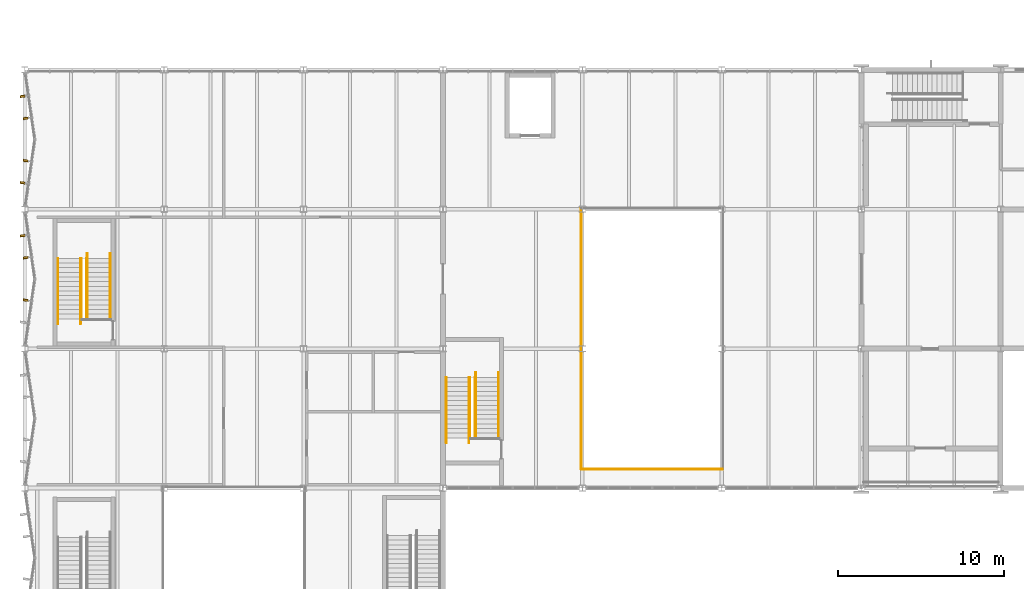
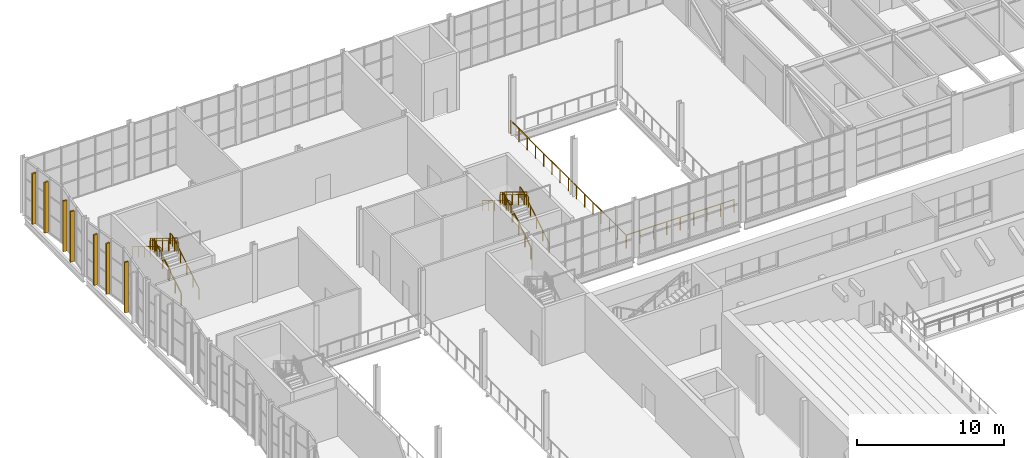
# One storey, part 121 of 127: 14 railings, 7 shading devices.
"""IFC4 building model written with IfcOpenShell, lengths in metres."""

from ifc_helpers import new_model, si_unit, direction, frame, origin, origin_2d, place, context, subcontext, project, spatial, rectangle, circle, extrude, material, type_object, element, save


model = new_model("IFC4")

# Units and contexts
model_context = context("Model", 3, precision=1e-05, world=origin(), true_north=direction((0.0, 1.0)))
body_context = subcontext(model_context, "Body", "Model", "MODEL_VIEW")
ifc_project = project(units=[si_unit("LENGTHUNIT", "METRE"), si_unit("AREAUNIT", "SQUARE_METRE"), si_unit("VOLUMEUNIT", "CUBIC_METRE"), si_unit("PLANEANGLEUNIT", "RADIAN"), si_unit("MASSUNIT", "GRAM", prefix="KILO")], contexts=[model_context])

# Site, building, storey
site_placement = place(None, origin())
site = spatial("IfcSite", under=ifc_project, at=site_placement, CompositionType="ELEMENT")
building_placement = place(site_placement, origin())
building = spatial("IfcBuilding", under=site, at=building_placement, Name="Ljudholm Concert House", CompositionType="ELEMENT")
storey_placement = place(building_placement, frame((0.0, 0.0, 5.39990234375)))
storey = spatial("IfcBuildingStorey", under=building, at=storey_placement, Name="L01", CompositionType="ELEMENT", Elevation=5.39990234375)

# Shading devices
ifc_material_1 = material(Name="Aluminium extrusion with timber-grain PVDF finish", Category="aluminium")
shading_device_type = type_object("IfcShadingDeviceType", Name="FACADE FIN 300x120", PredefinedType="SHUTTER", material=ifc_material_1)
for number, where, z_axis, x_axis, name in (
    (1, (4.06396484375, 116.1220703125, 0.2001953125), (0.0, 0.0, 1.0), (-0.989949493662, 0.141421356235, 0.0), "Facade fin"),
    (2, (4.06396484375, 118.677978515625, 0.2001953125), (0.0, 0.0, 1.0), (-0.989949493662, -0.141421356235, 0.0), "Facade fin"),
    (3, (3.874267578125, 120.00537109375, 0.2001953125), (0.0, 0.0, 1.0), (-0.989949493662, -0.141421356235, 0.0), "Facade fin"),
    (4, (3.874267578125, 123.194580078125, 0.2001953125), (0.0, 0.0, 1.0), (-0.989949493662, 0.141421356235, 0.0), "Facade fin"),
    (5, (4.06396484375, 124.52197265625, 0.2001953125), (0.0, 0.0, 1.0), (-0.989949493662, 0.141421356235, 0.0), "Facade fin"),
    (6, (4.06396484375, 127.077880859375, 0.2001953125), (0.0, 0.0, 1.0), (-0.989949493662, -0.141421356235, 0.0), "Facade fin"),
    (7, (3.874267578125, 128.4052734375, 0.2001953125), (0.0, 0.0, 1.0), (-0.989949493662, -0.141421356235, 0.0), "Facade fin"),
):
    element("IfcShadingDevice", number, at=place(storey_placement, frame(where, z_axis=z_axis, x_axis=x_axis)), inside=storey, type_object=shading_device_type, Name=name, PredefinedType="SHUTTER", context=body_context, shape_type="SweptSolid", body=[
        extrude(rectangle(XDim=0.300048828125, YDim=0.1201171875, at=origin_2d()), origin(), (0.0, 0.0, 1.0), 4.219970703125),
    ])

# Railings
ifc_material_2 = material(Name="Steel ASTM A36", Category="steel")
railing_type_1 = type_object("IfcRailingType", Name="GUARD 1100", PredefinedType="GUARDRAIL", material=ifc_material_2)
railing_1_placement = place(storey_placement, frame((7.72509765625, 115.0, 0.171630859375)))
element("IfcRailing", 8, at=railing_1_placement, inside=storey, type_object=railing_type_1, Name="Guard", PredefinedType="GUARDRAIL", context=body_context, shape_type="SweptSolid", body=[
    extrude(circle(Radius=0.02490234375, at=origin_2d()), frame((0.0, 0.0, 1.0751953125), z_axis=(0.0, 0.852932391421, 0.522021393877), x_axis=(-1.0, 0.0, 0.0)), (0.0, 0.0, 1.0), 0.98486328125),
    extrude(circle(Radius=0.02490234375, at=origin_2d()), frame((0.0, 0.840087890625, 1.58935546875), z_axis=(0.0, 0.852754414843, 0.522312079092), x_axis=(-1.0, 0.0, 0.0)), (0.0, 0.0, 1.0), 0.98486328125),
    extrude(circle(Radius=0.02490234375, at=origin_2d()), frame((0.0, 1.679931640625, 2.103515625), z_axis=(0.0, 0.852932391421, 0.522021393877), x_axis=(-1.0, 0.0, 0.0)), (0.0, 0.0, 1.0), 0.98486328125),
    extrude(circle(Radius=0.02490234375, at=origin_2d()), frame((0.0, 2.52001953125, 2.61767578125), z_axis=(0.0, 0.852822021269, 0.522201685212), x_axis=(-1.0, 0.0, 0.0)), (0.0, 0.0, 1.0), 0.985107421875),
    extrude(circle(Radius=0.02490234375, at=origin_2d()), frame((0.0, 3.360107421875, 3.13232421875), z_axis=(0.0, 0.852729557261, 0.522352660731), x_axis=(-1.0, 0.0, 0.0)), (0.0, 0.0, 1.0), 0.328125),
    extrude(circle(Radius=0.02099609375, at=origin_2d()), origin(), (0.0, 0.0, 1.0), 1.050048828125),
    extrude(circle(Radius=0.02099609375, at=origin_2d()), frame((0.0, 0.840087890625, 0.51416015625)), (0.0, 0.0, 1.0), 1.050048828125),
    extrude(circle(Radius=0.02099609375, at=origin_2d()), frame((0.0, 1.679931640625, 1.028564453125)), (0.0, 0.0, 1.0), 1.050048828125),
    extrude(circle(Radius=0.02099609375, at=origin_2d()), frame((0.0, 2.52001953125, 1.542724609375)), (0.0, 0.0, 1.0), 1.050048828125),
    extrude(circle(Radius=0.02099609375, at=origin_2d()), frame((0.0, 3.360107421875, 2.05712890625)), (0.0, 0.0, 1.0), 1.050048828125),
    extrude(circle(Radius=0.02099609375, at=origin_2d()), frame((0.0, 3.639892578125, 2.228515625)), (0.0, 0.0, 1.0), 1.050048828125),
])
railing_2_placement = place(storey_placement, frame((7.425048828125, 118.639892578125, 2.571533203125)))
element("IfcRailing", 9, at=railing_2_placement, inside=storey, type_object=railing_type_1, Name="Guard", PredefinedType="GUARDRAIL", context=body_context, shape_type="SweptSolid", body=[
    extrude(circle(Radius=0.02490234375, at=origin_2d()), frame((0.0, 0.0, 1.0751953125), z_axis=(0.0, -0.85286482292, 0.522131778218), x_axis=(1.0, 0.0, 0.0)), (0.0, 0.0, 1.0), 0.984619140625),
    extrude(circle(Radius=0.02490234375, at=origin_2d()), frame((0.0, -0.83984375, 1.58935546875), z_axis=(0.0, -0.852822021269, 0.522201685212), x_axis=(1.0, 0.0, 0.0)), (0.0, 0.0, 1.0), 0.985107421875),
    extrude(circle(Radius=0.02490234375, at=origin_2d()), frame((0.0, -1.679931640625, 2.103515625), z_axis=(0.0, -0.852754414843, 0.522312079092), x_axis=(1.0, 0.0, 0.0)), (0.0, 0.0, 1.0), 0.98486328125),
    extrude(circle(Radius=0.02490234375, at=origin_2d()), frame((0.0, -2.519775390625, 2.6181640625), z_axis=(0.0, -0.852932391421, 0.522021393877), x_axis=(1.0, 0.0, 0.0)), (0.0, 0.0, 1.0), 0.98486328125),
    extrude(circle(Radius=0.02490234375, at=origin_2d()), frame((0.0, -3.35986328125, 3.13232421875), z_axis=(0.0, -0.852932391421, 0.522021393877), x_axis=(1.0, 0.0, 0.0)), (0.0, 0.0, 1.0), 0.328369140625),
    extrude(circle(Radius=0.02099609375, at=origin_2d()), origin(), (0.0, 0.0, 1.0), 1.050048828125),
    extrude(circle(Radius=0.02099609375, at=origin_2d()), frame((0.0, -0.83984375, 0.51416015625)), (0.0, 0.0, 1.0), 1.050048828125),
    extrude(circle(Radius=0.02099609375, at=origin_2d()), frame((0.0, -1.679931640625, 1.028564453125)), (0.0, 0.0, 1.0), 1.050048828125),
    extrude(circle(Radius=0.02099609375, at=origin_2d()), frame((0.0, -2.519775390625, 1.54296875)), (0.0, 0.0, 1.0), 1.050048828125),
    extrude(circle(Radius=0.02099609375, at=origin_2d()), frame((0.0, -3.35986328125, 2.05712890625)), (0.0, 0.0, 1.0), 1.050048828125),
    extrude(circle(Radius=0.02099609375, at=origin_2d()), frame((0.0, -3.639892578125, 2.228515625)), (0.0, 0.0, 1.0), 1.050048828125),
])
railing_3_placement = place(storey_placement, frame((31.125, 107.830078125, 0.171630859375)))
element("IfcRailing", 10, at=railing_3_placement, inside=storey, type_object=railing_type_1, Name="Guard", PredefinedType="GUARDRAIL", context=body_context, shape_type="SweptSolid", body=[
    extrude(circle(Radius=0.02490234375, at=origin_2d()), frame((0.0, 0.0, 1.0751953125), z_axis=(0.0, 0.85286482292, 0.522131778218), x_axis=(-1.0, 0.0, 0.0)), (0.0, 0.0, 1.0), 0.984619140625),
    extrude(circle(Radius=0.02490234375, at=origin_2d()), frame((0.0, 0.83984375, 1.58935546875), z_axis=(0.0, 0.852822021269, 0.522201685212), x_axis=(-1.0, 0.0, 0.0)), (0.0, 0.0, 1.0), 0.985107421875),
    extrude(circle(Radius=0.02490234375, at=origin_2d()), frame((0.0, 1.679931640625, 2.103515625), z_axis=(0.0, 0.852932391421, 0.522021393877), x_axis=(-1.0, 0.0, 0.0)), (0.0, 0.0, 1.0), 0.98486328125),
    extrude(circle(Radius=0.02490234375, at=origin_2d()), frame((0.0, 2.52001953125, 2.61767578125), z_axis=(0.0, 0.852754414843, 0.522312079092), x_axis=(-1.0, 0.0, 0.0)), (0.0, 0.0, 1.0), 0.98486328125),
    extrude(circle(Radius=0.02490234375, at=origin_2d()), frame((0.0, 3.35986328125, 3.13232421875), z_axis=(0.0, 0.852932391421, 0.522021393877), x_axis=(-1.0, 0.0, 0.0)), (0.0, 0.0, 1.0), 0.328369140625),
    extrude(circle(Radius=0.02099609375, at=origin_2d()), origin(), (0.0, 0.0, 1.0), 1.050048828125),
    extrude(circle(Radius=0.02099609375, at=origin_2d()), frame((0.0, 0.83984375, 0.51416015625)), (0.0, 0.0, 1.0), 1.050048828125),
    extrude(circle(Radius=0.02099609375, at=origin_2d()), frame((0.0, 1.679931640625, 1.028564453125)), (0.0, 0.0, 1.0), 1.050048828125),
    extrude(circle(Radius=0.02099609375, at=origin_2d()), frame((0.0, 2.52001953125, 1.542724609375)), (0.0, 0.0, 1.0), 1.050048828125),
    extrude(circle(Radius=0.02099609375, at=origin_2d()), frame((0.0, 3.35986328125, 2.05712890625)), (0.0, 0.0, 1.0), 1.050048828125),
    extrude(circle(Radius=0.02099609375, at=origin_2d()), frame((0.0, 3.639892578125, 2.228515625)), (0.0, 0.0, 1.0), 1.050048828125),
])
railing_4_placement = place(storey_placement, frame((30.824951171875, 111.469970703125, 2.571533203125)))
element("IfcRailing", 11, at=railing_4_placement, inside=storey, type_object=railing_type_1, Name="Guard", PredefinedType="GUARDRAIL", context=body_context, shape_type="SweptSolid", body=[
    extrude(circle(Radius=0.02490234375, at=origin_2d()), frame((0.0, 0.0, 1.0751953125), z_axis=(0.0, -0.852932391421, 0.522021393877), x_axis=(1.0, 0.0, 0.0)), (0.0, 0.0, 1.0), 0.98486328125),
    extrude(circle(Radius=0.02490234375, at=origin_2d()), frame((0.0, -0.840087890625, 1.58935546875), z_axis=(0.0, -0.852754414843, 0.522312079092), x_axis=(1.0, 0.0, 0.0)), (0.0, 0.0, 1.0), 0.98486328125),
    extrude(circle(Radius=0.02490234375, at=origin_2d()), frame((0.0, -1.679931640625, 2.103515625), z_axis=(0.0, -0.852822021269, 0.522201685212), x_axis=(1.0, 0.0, 0.0)), (0.0, 0.0, 1.0), 0.985107421875),
    extrude(circle(Radius=0.02490234375, at=origin_2d()), frame((0.0, -2.52001953125, 2.6181640625), z_axis=(0.0, -0.85286482292, 0.522131778218), x_axis=(1.0, 0.0, 0.0)), (0.0, 0.0, 1.0), 0.984619140625),
    extrude(circle(Radius=0.02490234375, at=origin_2d()), frame((0.0, -3.35986328125, 3.13232421875), z_axis=(0.0, -0.852932391421, 0.522021393877), x_axis=(1.0, 0.0, 0.0)), (0.0, 0.0, 1.0), 0.328369140625),
    extrude(circle(Radius=0.02099609375, at=origin_2d()), origin(), (0.0, 0.0, 1.0), 1.050048828125),
    extrude(circle(Radius=0.02099609375, at=origin_2d()), frame((0.0, -0.840087890625, 0.51416015625)), (0.0, 0.0, 1.0), 1.050048828125),
    extrude(circle(Radius=0.02099609375, at=origin_2d()), frame((0.0, -1.679931640625, 1.028564453125)), (0.0, 0.0, 1.0), 1.050048828125),
    extrude(circle(Radius=0.02099609375, at=origin_2d()), frame((0.0, -2.52001953125, 1.54296875)), (0.0, 0.0, 1.0), 1.050048828125),
    extrude(circle(Radius=0.02099609375, at=origin_2d()), frame((0.0, -3.35986328125, 2.05712890625)), (0.0, 0.0, 1.0), 1.050048828125),
    extrude(circle(Radius=0.02099609375, at=origin_2d()), frame((0.0, -3.639892578125, 2.228515625)), (0.0, 0.0, 1.0), 1.050048828125),
])
railing_5_placement = place(storey_placement, frame((37.56005859375, 105.929931640625, 0.0)))
element("IfcRailing", 12, at=railing_5_placement, inside=storey, type_object=railing_type_1, Name="Atrium guard", PredefinedType="GUARDRAIL", context=body_context, shape_type="SweptSolid", body=[
    extrude(circle(Radius=0.02490234375, at=origin_2d()), frame((0.0, 0.0, 1.0751953125), z_axis=(1.0, 0.0, 0.0), x_axis=(0.0, 1.0, 0.0)), (0.0, 0.0, 1.0), 8.47998046875),
    extrude(circle(Radius=0.02099609375, at=origin_2d()), origin(), (0.0, 0.0, 1.0), 1.050048828125),
    extrude(circle(Radius=0.02099609375, at=origin_2d()), frame((1.06005859375, 0.0, 0.0)), (0.0, 0.0, 1.0), 1.050048828125),
    extrude(circle(Radius=0.02099609375, at=origin_2d()), frame((2.1201171875, 0.0, 0.0)), (0.0, 0.0, 1.0), 1.050048828125),
    extrude(circle(Radius=0.02099609375, at=origin_2d()), frame((3.179931640625, 0.0, 0.0)), (0.0, 0.0, 1.0), 1.050048828125),
    extrude(circle(Radius=0.02099609375, at=origin_2d()), frame((4.239990234375, 0.0, 0.0)), (0.0, 0.0, 1.0), 1.050048828125),
    extrude(circle(Radius=0.02099609375, at=origin_2d()), frame((5.300048828125, 0.0, 0.0)), (0.0, 0.0, 1.0), 1.050048828125),
    extrude(circle(Radius=0.02099609375, at=origin_2d()), frame((6.35986328125, 0.0, 0.0)), (0.0, 0.0, 1.0), 1.050048828125),
    extrude(circle(Radius=0.02099609375, at=origin_2d()), frame((7.419921875, 0.0, 0.0)), (0.0, 0.0, 1.0), 1.050048828125),
    extrude(circle(Radius=0.02099609375, at=origin_2d()), frame((8.47998046875, 0.0, 0.0)), (0.0, 0.0, 1.0), 1.050048828125),
])
railing_6_placement = place(storey_placement, frame((37.530029296875, 121.639892578125, 0.0)))
element("IfcRailing", 13, at=railing_6_placement, inside=storey, type_object=railing_type_1, Name="Atrium guard", PredefinedType="GUARDRAIL", context=body_context, shape_type="SweptSolid", body=[
    extrude(circle(Radius=0.02490234375, at=origin_2d()), frame((0.0, 0.0, 1.0751953125), z_axis=(0.0, -1.0, 0.0), x_axis=(1.0, 0.0, 0.0)), (0.0, 0.0, 1.0), 15.679931640625),
    extrude(circle(Radius=0.02099609375, at=origin_2d()), origin(), (0.0, 0.0, 1.0), 1.050048828125),
    extrude(circle(Radius=0.02099609375, at=origin_2d()), frame((0.0, -1.1201171875, 0.0)), (0.0, 0.0, 1.0), 1.050048828125),
    extrude(circle(Radius=0.02099609375, at=origin_2d()), frame((0.0, -2.239990234375, 0.0)), (0.0, 0.0, 1.0), 1.050048828125),
    extrude(circle(Radius=0.02099609375, at=origin_2d()), frame((0.0, -3.35986328125, 0.0)), (0.0, 0.0, 1.0), 1.050048828125),
    extrude(circle(Radius=0.02099609375, at=origin_2d()), frame((0.0, -4.47998046875, 0.0)), (0.0, 0.0, 1.0), 1.050048828125),
    extrude(circle(Radius=0.02099609375, at=origin_2d()), frame((0.0, -5.60009765625, 0.0)), (0.0, 0.0, 1.0), 1.050048828125),
    extrude(circle(Radius=0.02099609375, at=origin_2d()), frame((0.0, -6.719970703125, 0.0)), (0.0, 0.0, 1.0), 1.050048828125),
    extrude(circle(Radius=0.02099609375, at=origin_2d()), frame((0.0, -7.83984375, 0.0)), (0.0, 0.0, 1.0), 1.050048828125),
    extrude(circle(Radius=0.02099609375, at=origin_2d()), frame((0.0, -8.9599609375, 0.0)), (0.0, 0.0, 1.0), 1.050048828125),
    extrude(circle(Radius=0.02099609375, at=origin_2d()), frame((0.0, -10.080078125, 0.0)), (0.0, 0.0, 1.0), 1.050048828125),
    extrude(circle(Radius=0.02099609375, at=origin_2d()), frame((0.0, -11.199951171875, 0.0)), (0.0, 0.0, 1.0), 1.050048828125),
    extrude(circle(Radius=0.02099609375, at=origin_2d()), frame((0.0, -12.31982421875, 0.0)), (0.0, 0.0, 1.0), 1.050048828125),
    extrude(circle(Radius=0.02099609375, at=origin_2d()), frame((0.0, -13.43994140625, 0.0)), (0.0, 0.0, 1.0), 1.050048828125),
    extrude(circle(Radius=0.02099609375, at=origin_2d()), frame((0.0, -14.56005859375, 0.0)), (0.0, 0.0, 1.0), 1.050048828125),
    extrude(circle(Radius=0.02099609375, at=origin_2d()), frame((0.0, -15.679931640625, 0.0)), (0.0, 0.0, 1.0), 1.050048828125),
])
ifc_material_3 = material(Name="Steel ASTM A36", Category="steel")
railing_type_2 = type_object("IfcRailingType", Name="HANDRAIL 900", PredefinedType="HANDRAIL", material=ifc_material_3)
railing_7_placement = place(storey_placement, frame((7.77490234375, 115.0, 0.171630859375)))
element("IfcRailing", 14, at=railing_7_placement, inside=storey, type_object=railing_type_2, Name="Handrail", PredefinedType="HANDRAIL", context=body_context, shape_type="SweptSolid", body=[
    extrude(circle(Radius=0.0224609375, at=origin_2d()), frame((0.0, 0.0, 0.87744140625), z_axis=(0.0, 0.852932391421, 0.522021393877), x_axis=(-1.0, 0.0, 0.0)), (0.0, 0.0, 1.0), 0.98486328125),
    extrude(circle(Radius=0.0224609375, at=origin_2d()), frame((0.0, 0.840087890625, 1.3916015625), z_axis=(0.0, 0.852754414843, 0.522312079092), x_axis=(-1.0, 0.0, 0.0)), (0.0, 0.0, 1.0), 0.98486328125),
    extrude(circle(Radius=0.0224609375, at=origin_2d()), frame((0.0, 1.679931640625, 1.906005859375), z_axis=(0.0, 0.852932391421, 0.522021393877), x_axis=(-1.0, 0.0, 0.0)), (0.0, 0.0, 1.0), 0.98486328125),
    extrude(circle(Radius=0.0224609375, at=origin_2d()), frame((0.0, 2.52001953125, 2.420166015625), z_axis=(0.0, 0.852822021269, 0.522201685212), x_axis=(-1.0, 0.0, 0.0)), (0.0, 0.0, 1.0), 0.985107421875),
    extrude(circle(Radius=0.0224609375, at=origin_2d()), frame((0.0, 3.360107421875, 2.9345703125), z_axis=(0.0, 0.852729557261, 0.522352660731), x_axis=(-1.0, 0.0, 0.0)), (0.0, 0.0, 1.0), 0.328125),
    extrude(circle(Radius=0.0224609375, at=origin_2d()), frame((0.0, 3.639892578125, 3.10595703125), z_axis=(0.0, 1.0, 0.0), x_axis=(-1.0, 0.0, 0.0)), (0.0, 0.0, 1.0), 0.300048828125),
    extrude(circle(Radius=0.02099609375, at=origin_2d()), origin(), (0.0, 0.0, 1.0), 0.85498046875),
    extrude(circle(Radius=0.02099609375, at=origin_2d()), frame((0.0, 0.840087890625, 0.51416015625)), (0.0, 0.0, 1.0), 0.85498046875),
    extrude(circle(Radius=0.02099609375, at=origin_2d()), frame((0.0, 1.679931640625, 1.028564453125)), (0.0, 0.0, 1.0), 0.85498046875),
    extrude(circle(Radius=0.02099609375, at=origin_2d()), frame((0.0, 2.52001953125, 1.542724609375)), (0.0, 0.0, 1.0), 0.85498046875),
    extrude(circle(Radius=0.02099609375, at=origin_2d()), frame((0.0, 3.360107421875, 2.05712890625)), (0.0, 0.0, 1.0), 0.85498046875),
    extrude(circle(Radius=0.02099609375, at=origin_2d()), frame((0.0, 3.639892578125, 2.228515625)), (0.0, 0.0, 1.0), 0.85498046875),
    extrude(circle(Radius=0.02099609375, at=origin_2d()), frame((0.0, 3.93994140625, 2.228515625)), (0.0, 0.0, 1.0), 0.85498046875),
])
railing_8_placement = place(storey_placement, frame((9.14990234375, 115.0, 0.171630859375)))
element("IfcRailing", 15, at=railing_8_placement, inside=storey, type_object=railing_type_2, Name="Handrail", PredefinedType="HANDRAIL", context=body_context, shape_type="SweptSolid", body=[
    extrude(circle(Radius=0.0224609375, at=origin_2d()), frame((0.0, 0.0, 0.87744140625), z_axis=(0.0, 0.852932391421, 0.522021393877), x_axis=(-1.0, 0.0, 0.0)), (0.0, 0.0, 1.0), 0.98486328125),
    extrude(circle(Radius=0.0224609375, at=origin_2d()), frame((0.0, 0.840087890625, 1.3916015625), z_axis=(0.0, 0.852754414843, 0.522312079092), x_axis=(-1.0, 0.0, 0.0)), (0.0, 0.0, 1.0), 0.98486328125),
    extrude(circle(Radius=0.0224609375, at=origin_2d()), frame((0.0, 1.679931640625, 1.906005859375), z_axis=(0.0, 0.852932391421, 0.522021393877), x_axis=(-1.0, 0.0, 0.0)), (0.0, 0.0, 1.0), 0.98486328125),
    extrude(circle(Radius=0.0224609375, at=origin_2d()), frame((0.0, 2.52001953125, 2.420166015625), z_axis=(0.0, 0.852822021269, 0.522201685212), x_axis=(-1.0, 0.0, 0.0)), (0.0, 0.0, 1.0), 0.985107421875),
    extrude(circle(Radius=0.0224609375, at=origin_2d()), frame((0.0, 3.360107421875, 2.9345703125), z_axis=(0.0, 0.852729557261, 0.522352660731), x_axis=(-1.0, 0.0, 0.0)), (0.0, 0.0, 1.0), 0.328125),
    extrude(circle(Radius=0.0224609375, at=origin_2d()), frame((0.0, 3.639892578125, 3.10595703125), z_axis=(0.0, 1.0, 0.0), x_axis=(-1.0, 0.0, 0.0)), (0.0, 0.0, 1.0), 0.300048828125),
    extrude(circle(Radius=0.02099609375, at=origin_2d()), origin(), (0.0, 0.0, 1.0), 0.85498046875),
    extrude(circle(Radius=0.02099609375, at=origin_2d()), frame((0.0, 0.840087890625, 0.51416015625)), (0.0, 0.0, 1.0), 0.85498046875),
    extrude(circle(Radius=0.02099609375, at=origin_2d()), frame((0.0, 1.679931640625, 1.028564453125)), (0.0, 0.0, 1.0), 0.85498046875),
    extrude(circle(Radius=0.02099609375, at=origin_2d()), frame((0.0, 2.52001953125, 1.542724609375)), (0.0, 0.0, 1.0), 0.85498046875),
    extrude(circle(Radius=0.02099609375, at=origin_2d()), frame((0.0, 3.360107421875, 2.05712890625)), (0.0, 0.0, 1.0), 0.85498046875),
    extrude(circle(Radius=0.02099609375, at=origin_2d()), frame((0.0, 3.639892578125, 2.228515625)), (0.0, 0.0, 1.0), 0.85498046875),
    extrude(circle(Radius=0.02099609375, at=origin_2d()), frame((0.0, 3.93994140625, 2.228515625)), (0.0, 0.0, 1.0), 0.85498046875),
])
railing_9_placement = place(storey_placement, frame((7.375, 118.639892578125, 2.571533203125)))
element("IfcRailing", 16, at=railing_9_placement, inside=storey, type_object=railing_type_2, Name="Handrail", PredefinedType="HANDRAIL", context=body_context, shape_type="SweptSolid", body=[
    extrude(circle(Radius=0.0224609375, at=origin_2d()), frame((0.0, 0.0, 0.87744140625), z_axis=(0.0, -0.85286482292, 0.522131778218), x_axis=(1.0, 0.0, 0.0)), (0.0, 0.0, 1.0), 0.984619140625),
    extrude(circle(Radius=0.0224609375, at=origin_2d()), frame((0.0, -0.83984375, 1.3916015625), z_axis=(0.0, -0.852822021269, 0.522201685212), x_axis=(1.0, 0.0, 0.0)), (0.0, 0.0, 1.0), 0.985107421875),
    extrude(circle(Radius=0.0224609375, at=origin_2d()), frame((0.0, -1.679931640625, 1.906005859375), z_axis=(0.0, -0.852754414843, 0.522312079092), x_axis=(1.0, 0.0, 0.0)), (0.0, 0.0, 1.0), 0.98486328125),
    extrude(circle(Radius=0.0224609375, at=origin_2d()), frame((0.0, -2.519775390625, 2.42041015625), z_axis=(0.0, -0.852932391421, 0.522021393877), x_axis=(1.0, 0.0, 0.0)), (0.0, 0.0, 1.0), 0.98486328125),
    extrude(circle(Radius=0.0224609375, at=origin_2d()), frame((0.0, -3.35986328125, 2.9345703125), z_axis=(0.0, -0.852932391421, 0.522021393877), x_axis=(1.0, 0.0, 0.0)), (0.0, 0.0, 1.0), 0.328369140625),
    extrude(circle(Radius=0.0224609375, at=origin_2d()), frame((0.0, -3.639892578125, 3.10595703125), z_axis=(0.0, -1.0, 0.0), x_axis=(1.0, 0.0, 0.0)), (0.0, 0.0, 1.0), 0.300048828125),
    extrude(circle(Radius=0.02099609375, at=origin_2d()), origin(), (0.0, 0.0, 1.0), 0.85498046875),
    extrude(circle(Radius=0.02099609375, at=origin_2d()), frame((0.0, -0.83984375, 0.51416015625)), (0.0, 0.0, 1.0), 0.85498046875),
    extrude(circle(Radius=0.02099609375, at=origin_2d()), frame((0.0, -1.679931640625, 1.028564453125)), (0.0, 0.0, 1.0), 0.85498046875),
    extrude(circle(Radius=0.02099609375, at=origin_2d()), frame((0.0, -2.519775390625, 1.54296875)), (0.0, 0.0, 1.0), 0.85498046875),
    extrude(circle(Radius=0.02099609375, at=origin_2d()), frame((0.0, -3.35986328125, 2.05712890625)), (0.0, 0.0, 1.0), 0.85498046875),
    extrude(circle(Radius=0.02099609375, at=origin_2d()), frame((0.0, -3.639892578125, 2.228515625)), (0.0, 0.0, 1.0), 0.85498046875),
    extrude(circle(Radius=0.02099609375, at=origin_2d()), frame((0.0, -3.93994140625, 2.228515625)), (0.0, 0.0, 1.0), 0.85498046875),
])
railing_10_placement = place(storey_placement, frame((6.0, 118.639892578125, 2.571533203125)))
element("IfcRailing", 17, at=railing_10_placement, inside=storey, type_object=railing_type_2, Name="Handrail", PredefinedType="HANDRAIL", context=body_context, shape_type="SweptSolid", body=[
    extrude(circle(Radius=0.0224609375, at=origin_2d()), frame((0.0, 0.0, 0.87744140625), z_axis=(0.0, -0.85286482292, 0.522131778218), x_axis=(1.0, 0.0, 0.0)), (0.0, 0.0, 1.0), 0.984619140625),
    extrude(circle(Radius=0.0224609375, at=origin_2d()), frame((0.0, -0.83984375, 1.3916015625), z_axis=(0.0, -0.852822021269, 0.522201685212), x_axis=(1.0, 0.0, 0.0)), (0.0, 0.0, 1.0), 0.985107421875),
    extrude(circle(Radius=0.0224609375, at=origin_2d()), frame((0.0, -1.679931640625, 1.906005859375), z_axis=(0.0, -0.852754414843, 0.522312079092), x_axis=(1.0, 0.0, 0.0)), (0.0, 0.0, 1.0), 0.98486328125),
    extrude(circle(Radius=0.0224609375, at=origin_2d()), frame((0.0, -2.519775390625, 2.42041015625), z_axis=(0.0, -0.852932391421, 0.522021393877), x_axis=(1.0, 0.0, 0.0)), (0.0, 0.0, 1.0), 0.98486328125),
    extrude(circle(Radius=0.0224609375, at=origin_2d()), frame((0.0, -3.35986328125, 2.9345703125), z_axis=(0.0, -0.852932391421, 0.522021393877), x_axis=(1.0, 0.0, 0.0)), (0.0, 0.0, 1.0), 0.328369140625),
    extrude(circle(Radius=0.0224609375, at=origin_2d()), frame((0.0, -3.639892578125, 3.10595703125), z_axis=(0.0, -1.0, 0.0), x_axis=(1.0, 0.0, 0.0)), (0.0, 0.0, 1.0), 0.300048828125),
    extrude(circle(Radius=0.02099609375, at=origin_2d()), origin(), (0.0, 0.0, 1.0), 0.85498046875),
    extrude(circle(Radius=0.02099609375, at=origin_2d()), frame((0.0, -0.83984375, 0.51416015625)), (0.0, 0.0, 1.0), 0.85498046875),
    extrude(circle(Radius=0.02099609375, at=origin_2d()), frame((0.0, -1.679931640625, 1.028564453125)), (0.0, 0.0, 1.0), 0.85498046875),
    extrude(circle(Radius=0.02099609375, at=origin_2d()), frame((0.0, -2.519775390625, 1.54296875)), (0.0, 0.0, 1.0), 0.85498046875),
    extrude(circle(Radius=0.02099609375, at=origin_2d()), frame((0.0, -3.35986328125, 2.05712890625)), (0.0, 0.0, 1.0), 0.85498046875),
    extrude(circle(Radius=0.02099609375, at=origin_2d()), frame((0.0, -3.639892578125, 2.228515625)), (0.0, 0.0, 1.0), 0.85498046875),
    extrude(circle(Radius=0.02099609375, at=origin_2d()), frame((0.0, -3.93994140625, 2.228515625)), (0.0, 0.0, 1.0), 0.85498046875),
])
railing_11_placement = place(storey_placement, frame((31.175048828125, 107.830078125, 0.171630859375)))
element("IfcRailing", 18, at=railing_11_placement, inside=storey, type_object=railing_type_2, Name="Handrail", PredefinedType="HANDRAIL", context=body_context, shape_type="SweptSolid", body=[
    extrude(circle(Radius=0.0224609375, at=origin_2d()), frame((0.0, 0.0, 0.87744140625), z_axis=(0.0, 0.85286482292, 0.522131778218), x_axis=(-1.0, 0.0, 0.0)), (0.0, 0.0, 1.0), 0.984619140625),
    extrude(circle(Radius=0.0224609375, at=origin_2d()), frame((0.0, 0.83984375, 1.3916015625), z_axis=(0.0, 0.852822021269, 0.522201685212), x_axis=(-1.0, 0.0, 0.0)), (0.0, 0.0, 1.0), 0.985107421875),
    extrude(circle(Radius=0.0224609375, at=origin_2d()), frame((0.0, 1.679931640625, 1.906005859375), z_axis=(0.0, 0.852932391421, 0.522021393877), x_axis=(-1.0, 0.0, 0.0)), (0.0, 0.0, 1.0), 0.98486328125),
    extrude(circle(Radius=0.0224609375, at=origin_2d()), frame((0.0, 2.52001953125, 2.420166015625), z_axis=(0.0, 0.852754414843, 0.522312079092), x_axis=(-1.0, 0.0, 0.0)), (0.0, 0.0, 1.0), 0.98486328125),
    extrude(circle(Radius=0.0224609375, at=origin_2d()), frame((0.0, 3.35986328125, 2.9345703125), z_axis=(0.0, 0.852932391421, 0.522021393877), x_axis=(-1.0, 0.0, 0.0)), (0.0, 0.0, 1.0), 0.328369140625),
    extrude(circle(Radius=0.0224609375, at=origin_2d()), frame((0.0, 3.639892578125, 3.10595703125), z_axis=(0.0, 1.0, 0.0), x_axis=(-1.0, 0.0, 0.0)), (0.0, 0.0, 1.0), 0.300048828125),
    extrude(circle(Radius=0.02099609375, at=origin_2d()), origin(), (0.0, 0.0, 1.0), 0.85498046875),
    extrude(circle(Radius=0.02099609375, at=origin_2d()), frame((0.0, 0.83984375, 0.51416015625)), (0.0, 0.0, 1.0), 0.85498046875),
    extrude(circle(Radius=0.02099609375, at=origin_2d()), frame((0.0, 1.679931640625, 1.028564453125)), (0.0, 0.0, 1.0), 0.85498046875),
    extrude(circle(Radius=0.02099609375, at=origin_2d()), frame((0.0, 2.52001953125, 1.542724609375)), (0.0, 0.0, 1.0), 0.85498046875),
    extrude(circle(Radius=0.02099609375, at=origin_2d()), frame((0.0, 3.35986328125, 2.05712890625)), (0.0, 0.0, 1.0), 0.85498046875),
    extrude(circle(Radius=0.02099609375, at=origin_2d()), frame((0.0, 3.639892578125, 2.228515625)), (0.0, 0.0, 1.0), 0.85498046875),
    extrude(circle(Radius=0.02099609375, at=origin_2d()), frame((0.0, 3.93994140625, 2.228515625)), (0.0, 0.0, 1.0), 0.85498046875),
])
railing_12_placement = place(storey_placement, frame((32.550048828125, 107.830078125, 0.171630859375)))
element("IfcRailing", 19, at=railing_12_placement, inside=storey, type_object=railing_type_2, Name="Handrail", PredefinedType="HANDRAIL", context=body_context, shape_type="SweptSolid", body=[
    extrude(circle(Radius=0.0224609375, at=origin_2d()), frame((0.0, 0.0, 0.87744140625), z_axis=(0.0, 0.85286482292, 0.522131778218), x_axis=(-1.0, 0.0, 0.0)), (0.0, 0.0, 1.0), 0.984619140625),
    extrude(circle(Radius=0.0224609375, at=origin_2d()), frame((0.0, 0.83984375, 1.3916015625), z_axis=(0.0, 0.852822021269, 0.522201685212), x_axis=(-1.0, 0.0, 0.0)), (0.0, 0.0, 1.0), 0.985107421875),
    extrude(circle(Radius=0.0224609375, at=origin_2d()), frame((0.0, 1.679931640625, 1.906005859375), z_axis=(0.0, 0.852932391421, 0.522021393877), x_axis=(-1.0, 0.0, 0.0)), (0.0, 0.0, 1.0), 0.98486328125),
    extrude(circle(Radius=0.0224609375, at=origin_2d()), frame((0.0, 2.52001953125, 2.420166015625), z_axis=(0.0, 0.852754414843, 0.522312079092), x_axis=(-1.0, 0.0, 0.0)), (0.0, 0.0, 1.0), 0.98486328125),
    extrude(circle(Radius=0.0224609375, at=origin_2d()), frame((0.0, 3.35986328125, 2.9345703125), z_axis=(0.0, 0.852932391421, 0.522021393877), x_axis=(-1.0, 0.0, 0.0)), (0.0, 0.0, 1.0), 0.328369140625),
    extrude(circle(Radius=0.0224609375, at=origin_2d()), frame((0.0, 3.639892578125, 3.10595703125), z_axis=(0.0, 1.0, 0.0), x_axis=(-1.0, 0.0, 0.0)), (0.0, 0.0, 1.0), 0.300048828125),
    extrude(circle(Radius=0.02099609375, at=origin_2d()), origin(), (0.0, 0.0, 1.0), 0.85498046875),
    extrude(circle(Radius=0.02099609375, at=origin_2d()), frame((0.0, 0.83984375, 0.51416015625)), (0.0, 0.0, 1.0), 0.85498046875),
    extrude(circle(Radius=0.02099609375, at=origin_2d()), frame((0.0, 1.679931640625, 1.028564453125)), (0.0, 0.0, 1.0), 0.85498046875),
    extrude(circle(Radius=0.02099609375, at=origin_2d()), frame((0.0, 2.52001953125, 1.542724609375)), (0.0, 0.0, 1.0), 0.85498046875),
    extrude(circle(Radius=0.02099609375, at=origin_2d()), frame((0.0, 3.35986328125, 2.05712890625)), (0.0, 0.0, 1.0), 0.85498046875),
    extrude(circle(Radius=0.02099609375, at=origin_2d()), frame((0.0, 3.639892578125, 2.228515625)), (0.0, 0.0, 1.0), 0.85498046875),
    extrude(circle(Radius=0.02099609375, at=origin_2d()), frame((0.0, 3.93994140625, 2.228515625)), (0.0, 0.0, 1.0), 0.85498046875),
])
railing_13_placement = place(storey_placement, frame((30.77490234375, 111.469970703125, 2.571533203125)))
element("IfcRailing", 20, at=railing_13_placement, inside=storey, type_object=railing_type_2, Name="Handrail", PredefinedType="HANDRAIL", context=body_context, shape_type="SweptSolid", body=[
    extrude(circle(Radius=0.0224609375, at=origin_2d()), frame((0.0, 0.0, 0.87744140625), z_axis=(0.0, -0.852932391421, 0.522021393877), x_axis=(1.0, 0.0, 0.0)), (0.0, 0.0, 1.0), 0.98486328125),
    extrude(circle(Radius=0.0224609375, at=origin_2d()), frame((0.0, -0.840087890625, 1.3916015625), z_axis=(0.0, -0.852754414843, 0.522312079092), x_axis=(1.0, 0.0, 0.0)), (0.0, 0.0, 1.0), 0.98486328125),
    extrude(circle(Radius=0.0224609375, at=origin_2d()), frame((0.0, -1.679931640625, 1.906005859375), z_axis=(0.0, -0.852822021269, 0.522201685212), x_axis=(1.0, 0.0, 0.0)), (0.0, 0.0, 1.0), 0.985107421875),
    extrude(circle(Radius=0.0224609375, at=origin_2d()), frame((0.0, -2.52001953125, 2.42041015625), z_axis=(0.0, -0.85286482292, 0.522131778218), x_axis=(1.0, 0.0, 0.0)), (0.0, 0.0, 1.0), 0.984619140625),
    extrude(circle(Radius=0.0224609375, at=origin_2d()), frame((0.0, -3.35986328125, 2.9345703125), z_axis=(0.0, -0.852932391421, 0.522021393877), x_axis=(1.0, 0.0, 0.0)), (0.0, 0.0, 1.0), 0.328369140625),
    extrude(circle(Radius=0.0224609375, at=origin_2d()), frame((0.0, -3.639892578125, 3.10595703125), z_axis=(0.0, -1.0, 0.0), x_axis=(1.0, 0.0, 0.0)), (0.0, 0.0, 1.0), 0.300048828125),
    extrude(circle(Radius=0.02099609375, at=origin_2d()), origin(), (0.0, 0.0, 1.0), 0.85498046875),
    extrude(circle(Radius=0.02099609375, at=origin_2d()), frame((0.0, -0.840087890625, 0.51416015625)), (0.0, 0.0, 1.0), 0.85498046875),
    extrude(circle(Radius=0.02099609375, at=origin_2d()), frame((0.0, -1.679931640625, 1.028564453125)), (0.0, 0.0, 1.0), 0.85498046875),
    extrude(circle(Radius=0.02099609375, at=origin_2d()), frame((0.0, -2.52001953125, 1.54296875)), (0.0, 0.0, 1.0), 0.85498046875),
    extrude(circle(Radius=0.02099609375, at=origin_2d()), frame((0.0, -3.35986328125, 2.05712890625)), (0.0, 0.0, 1.0), 0.85498046875),
    extrude(circle(Radius=0.02099609375, at=origin_2d()), frame((0.0, -3.639892578125, 2.228515625)), (0.0, 0.0, 1.0), 0.85498046875),
    extrude(circle(Radius=0.02099609375, at=origin_2d()), frame((0.0, -3.93994140625, 2.228515625)), (0.0, 0.0, 1.0), 0.85498046875),
])
railing_14_placement = place(storey_placement, frame((29.39990234375, 111.469970703125, 2.571533203125)))
element("IfcRailing", 21, at=railing_14_placement, inside=storey, type_object=railing_type_2, Name="Handrail", PredefinedType="HANDRAIL", context=body_context, shape_type="SweptSolid", body=[
    extrude(circle(Radius=0.0224609375, at=origin_2d()), frame((0.0, 0.0, 0.87744140625), z_axis=(0.0, -0.852932391421, 0.522021393877), x_axis=(1.0, 0.0, 0.0)), (0.0, 0.0, 1.0), 0.98486328125),
    extrude(circle(Radius=0.0224609375, at=origin_2d()), frame((0.0, -0.840087890625, 1.3916015625), z_axis=(0.0, -0.852754414843, 0.522312079092), x_axis=(1.0, 0.0, 0.0)), (0.0, 0.0, 1.0), 0.98486328125),
    extrude(circle(Radius=0.0224609375, at=origin_2d()), frame((0.0, -1.679931640625, 1.906005859375), z_axis=(0.0, -0.852822021269, 0.522201685212), x_axis=(1.0, 0.0, 0.0)), (0.0, 0.0, 1.0), 0.985107421875),
    extrude(circle(Radius=0.0224609375, at=origin_2d()), frame((0.0, -2.52001953125, 2.42041015625), z_axis=(0.0, -0.85286482292, 0.522131778218), x_axis=(1.0, 0.0, 0.0)), (0.0, 0.0, 1.0), 0.984619140625),
    extrude(circle(Radius=0.0224609375, at=origin_2d()), frame((0.0, -3.35986328125, 2.9345703125), z_axis=(0.0, -0.852932391421, 0.522021393877), x_axis=(1.0, 0.0, 0.0)), (0.0, 0.0, 1.0), 0.328369140625),
    extrude(circle(Radius=0.0224609375, at=origin_2d()), frame((0.0, -3.639892578125, 3.10595703125), z_axis=(0.0, -1.0, 0.0), x_axis=(1.0, 0.0, 0.0)), (0.0, 0.0, 1.0), 0.300048828125),
    extrude(circle(Radius=0.02099609375, at=origin_2d()), origin(), (0.0, 0.0, 1.0), 0.85498046875),
    extrude(circle(Radius=0.02099609375, at=origin_2d()), frame((0.0, -0.840087890625, 0.51416015625)), (0.0, 0.0, 1.0), 0.85498046875),
    extrude(circle(Radius=0.02099609375, at=origin_2d()), frame((0.0, -1.679931640625, 1.028564453125)), (0.0, 0.0, 1.0), 0.85498046875),
    extrude(circle(Radius=0.02099609375, at=origin_2d()), frame((0.0, -2.52001953125, 1.54296875)), (0.0, 0.0, 1.0), 0.85498046875),
    extrude(circle(Radius=0.02099609375, at=origin_2d()), frame((0.0, -3.35986328125, 2.05712890625)), (0.0, 0.0, 1.0), 0.85498046875),
    extrude(circle(Radius=0.02099609375, at=origin_2d()), frame((0.0, -3.639892578125, 2.228515625)), (0.0, 0.0, 1.0), 0.85498046875),
    extrude(circle(Radius=0.02099609375, at=origin_2d()), frame((0.0, -3.93994140625, 2.228515625)), (0.0, 0.0, 1.0), 0.85498046875),
])

save(model, "model.ifc")
